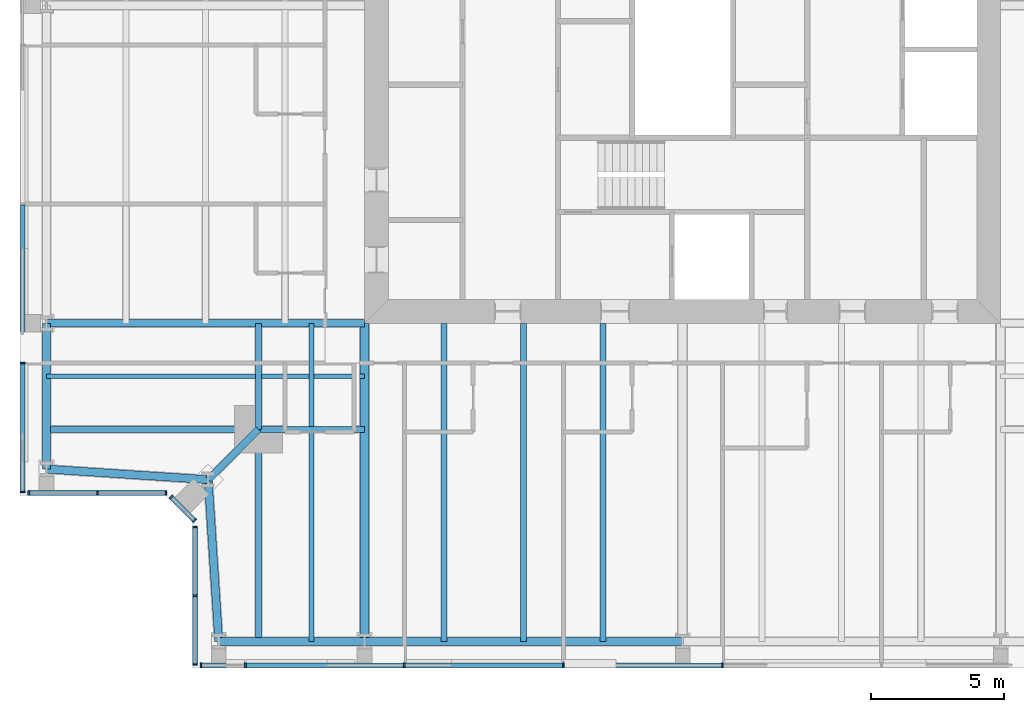
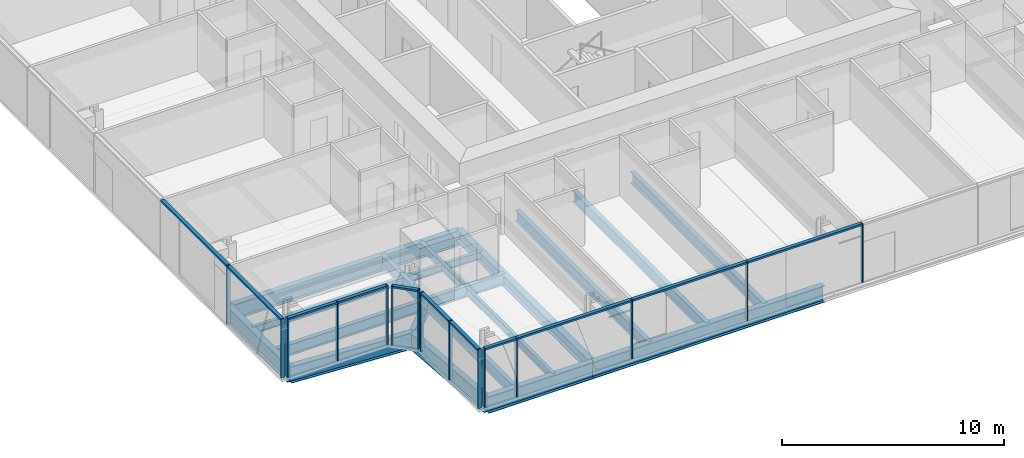
# One storey, part 2 of 20: 26 members, 20 beams, 5 elements without a shape of their own.
"""IFC4 building model written with IfcOpenShell, lengths in metres."""

from ifc_helpers import new_model, si_unit, direction, frame, origin, origin_2d, place, context, subcontext, project, spatial, rectangle, i_section, extrude, material, material_profile, profile_set, type_object, element, aggregate, save


model = new_model("IFC4")

# Units and contexts
model_context = context("Model", 3, precision=1e-05, world=origin(), true_north=direction((0.0, 1.0)))
body_context = subcontext(model_context, "Body", "Model", "MODEL_VIEW")
ifc_project = project(units=[si_unit("LENGTHUNIT", "METRE"), si_unit("AREAUNIT", "SQUARE_METRE"), si_unit("VOLUMEUNIT", "CUBIC_METRE"), si_unit("PLANEANGLEUNIT", "RADIAN"), si_unit("MASSUNIT", "GRAM", prefix="KILO")], contexts=[model_context])

# Site, building, storey
site_placement = place(None, origin())
site = spatial("IfcSite", under=ifc_project, at=site_placement, CompositionType="ELEMENT")
building_placement = place(site_placement, origin())
building = spatial("IfcBuilding", under=site, at=building_placement, Name="Fenwick Lantern Interchange", CompositionType="ELEMENT")
storey_placement = place(building_placement, frame((0.0, 0.0, 245.800048828125)))
storey = spatial("IfcBuildingStorey", under=building, at=storey_placement, Name="L57", CompositionType="ELEMENT", Elevation=245.800048828125)

# Beams
ifc_material_1 = material(Name="Steel ASTM A992 Grade 50", Category="steel")
ifc_material_profile_1 = material_profile(ifc_material_1, i_section(OverallWidth=0.3046875, OverallDepth=0.911865234375, WebThickness=0.015869140625, FlangeThickness=0.02392578125, at=origin_2d()), Name="W36X150")
ifc_profile_set_1 = profile_set([ifc_material_profile_1], Name="Steel ASTM A992 Grade 50")
beam_type_1 = type_object("IfcBeamType", Name="EDGE BEAM W36X150", PredefinedType="SPANDREL", material=ifc_profile_set_1)
beam_1_placement = place(storey_placement, frame((7.5, 1.0, -0.60595703125), z_axis=(1.0, 0.0, 0.0), x_axis=(0.0, 1.0, 0.0)))
element("IfcBeam", 1, at=beam_1_placement, inside=storey, type_object=beam_type_1, Name="L57/FR/S/EB1", PredefinedType="SPANDREL", context=body_context, shape_type="SweptSolid", body=[
    extrude(i_section(OverallWidth=0.3046875, OverallDepth=0.911865234375, WebThickness=0.015869140625, FlangeThickness=0.02392578125, at=origin_2d()), origin(), (0.0, 0.0, 1.0), 5.5),
])
beam_2_placement = place(storey_placement, frame((13.0, 1.0, -0.60595703125), z_axis=(1.0, 0.0, 0.0), x_axis=(0.0, 1.0, 0.0)))
element("IfcBeam", 2, at=beam_2_placement, inside=storey, type_object=beam_type_1, Name="L57/FR/S/EB2", PredefinedType="SPANDREL", context=body_context, shape_type="SweptSolid", body=[
    extrude(i_section(OverallWidth=0.3046875, OverallDepth=0.911865234375, WebThickness=0.015869140625, FlangeThickness=0.02392578125, at=origin_2d()), origin(), (0.0, 0.0, 1.0), 12.0),
])
beam_3_placement = place(storey_placement, frame((1.0, 13.0, -0.60595703125), z_axis=(0.0, -1.0, 0.0), x_axis=(1.0, 0.0, 0.0)))
element("IfcBeam", 3, at=beam_3_placement, inside=storey, type_object=beam_type_1, Name="L57/FR/W/EB4", PredefinedType="SPANDREL", context=body_context, shape_type="SweptSolid", body=[
    extrude(i_section(OverallWidth=0.3046875, OverallDepth=0.911865234375, WebThickness=0.015869140625, FlangeThickness=0.02392578125, at=origin_2d()), origin(), (0.0, 0.0, 1.0), 5.5),
])
for number, where, z_axis, x_axis, name in (
    (4, (1.0, 7.5, -0.60595703125), (0.997858060337, -0.065416293237, 0.0), (0.065416293237, 0.997858060337, 0.0), "L57/FR/W/EBR1"),
    (5, (7.10009765625, 7.10009765625, -0.60595703125), (0.065416293237, -0.997858060337, 0.0), (0.997858060337, 0.065416293237, 0.0), "L57/FR/W/EBR2"),
):
    element("IfcBeam", number, at=place(storey_placement, frame(where, z_axis=z_axis, x_axis=x_axis)), inside=storey, type_object=beam_type_1, Name=name, PredefinedType="SPANDREL", context=body_context, shape_type="SweptSolid", body=[
        extrude(i_section(OverallWidth=0.3046875, OverallDepth=0.911865234375, WebThickness=0.015869140625, FlangeThickness=0.02392578125, at=origin_2d()), origin(), (0.0, 0.0, 1.0), 6.11328125),
    ])
ifc_material_profile_2 = material_profile(ifc_material_1, i_section(OverallWidth=0.22900390625, OverallDepth=0.612060546875, WebThickness=0.011962890625, FlangeThickness=0.01953125, at=origin_2d()), Name="W24X84")
ifc_profile_set_2 = profile_set([ifc_material_profile_2], Name="Steel ASTM A992 Grade 50")
beam_type_2 = type_object("IfcBeamType", Name="FLOOR BEAM W24X84", PredefinedType="BEAM", material=ifc_profile_set_2)
for number, where, z_axis, x_axis, name in (
    (6, (16.0, 1.0, -0.4560546875), (0.0, 1.0, 0.0), (-1.0, 0.0, 0.0), "L57/FR/S/R02"),
    (7, (19.0, 1.0, -0.4560546875), (0.0, 1.0, 0.0), (-1.0, 0.0, 0.0), "L57/FR/S/R03"),
    (8, (22.0, 1.0, -0.4560546875), (0.0, 1.0, 0.0), (-1.0, 0.0, 0.0), "L57/FR/S/R04"),
):
    element("IfcBeam", number, at=place(storey_placement, frame(where, z_axis=z_axis, x_axis=x_axis)), inside=storey, type_object=beam_type_2, Name=name, PredefinedType="BEAM", context=body_context, shape_type="SweptSolid", body=[
        extrude(i_section(OverallWidth=0.22900390625, OverallDepth=0.612060546875, WebThickness=0.011962890625, FlangeThickness=0.01953125, at=origin_2d()), origin(), (0.0, 0.0, 1.0), 12.0),
    ])

# Curtain wall, members
ifc_material_2 = material(Name="Aluminium curtain wall frame", Category="aluminium")
curtain_wall_type = type_object("IfcCurtainWallType", Name="HOTEL CURTAIN WALL", PredefinedType="USERDEFINED", material=ifc_material_2)
curtain_wall_1_placement = place(storey_placement, origin())
curtain_wall_1 = element("IfcCurtainWall", 9, at=curtain_wall_1_placement, inside=storey, type_object=curtain_wall_type, Name="Hotel curtain wall 01", ObjectType="HOTEL CURTAIN WALL", PredefinedType="USERDEFINED")
ifc_material_3 = material(Name="Aluminium extrusion", Category="aluminium")
ifc_material_profile_3 = material_profile(ifc_material_3, rectangle(XDim=0.179931640625, YDim=0.06005859375, at=origin_2d()), Name="HOTEL CURTAIN WALL MULLION 60 X 180")
ifc_profile_set_3 = profile_set([ifc_material_profile_3], Name="Aluminium extrusion")
member_type_1 = type_object("IfcMemberType", Name="HOTEL CURTAIN WALL MULLION 60 X 180", PredefinedType="MULLION", material=ifc_profile_set_3)
member_1_placement = place(storey_placement, frame((6.830078125, 0.10009765625, 0.0), z_axis=(0.0, 0.0, 1.0), x_axis=(0.0, 1.0, 0.0)))
member_1 = element("IfcMember", 10, at=member_1_placement, type_object=member_type_1, Name="L57/CW/01/M00", PredefinedType="MULLION", context=body_context, shape_type="SweptSolid", body=[
    extrude(rectangle(XDim=0.179931640625, YDim=0.06005859375, at=origin_2d()), origin(), (0.0, 0.0, 1.0), 3.25),
])
member_2_placement = place(storey_placement, frame((8.5, 0.10009765625, 0.0), z_axis=(0.0, 0.0, 1.0), x_axis=(0.0, 1.0, 0.0)))
member_2 = element("IfcMember", 11, at=member_2_placement, type_object=member_type_1, Name="L57/CW/01/M01", PredefinedType="MULLION", context=body_context, shape_type="SweptSolid", body=[
    extrude(rectangle(XDim=0.179931640625, YDim=0.06005859375, at=origin_2d()), origin(), (0.0, 0.0, 1.0), 3.25),
])
member_3_placement = place(storey_placement, frame((14.5, 0.10009765625, 0.0), z_axis=(0.0, 0.0, 1.0), x_axis=(0.0, 1.0, 0.0)))
member_3 = element("IfcMember", 12, at=member_3_placement, type_object=member_type_1, Name="L57/CW/01/M02", PredefinedType="MULLION", context=body_context, shape_type="SweptSolid", body=[
    extrude(rectangle(XDim=0.179931640625, YDim=0.06005859375, at=origin_2d()), origin(), (0.0, 0.0, 1.0), 3.25),
])
member_4_placement = place(storey_placement, frame((20.5, 0.10009765625, 0.0), z_axis=(0.0, 0.0, 1.0), x_axis=(0.0, 1.0, 0.0)))
member_4 = element("IfcMember", 13, at=member_4_placement, type_object=member_type_1, Name="L57/CW/01/M03", PredefinedType="MULLION", context=body_context, shape_type="SweptSolid", body=[
    extrude(rectangle(XDim=0.179931640625, YDim=0.06005859375, at=origin_2d()), origin(), (0.0, 0.0, 1.0), 3.25),
])
member_5_placement = place(storey_placement, frame((26.5, 0.10009765625, 0.0), z_axis=(0.0, 0.0, 1.0), x_axis=(0.0, 1.0, 0.0)))
member_5 = element("IfcMember", 14, at=member_5_placement, type_object=member_type_1, Name="L57/CW/01/M04", PredefinedType="MULLION", context=body_context, shape_type="SweptSolid", body=[
    extrude(rectangle(XDim=0.179931640625, YDim=0.06005859375, at=origin_2d()), origin(), (0.0, 0.0, 1.0), 3.25),
])

curtain_wall_2_placement = place(storey_placement, origin())
curtain_wall_2 = element("IfcCurtainWall", 15, at=curtain_wall_2_placement, inside=storey, type_object=curtain_wall_type, Name="Hotel curtain wall 13", ObjectType="HOTEL CURTAIN WALL", PredefinedType="USERDEFINED")
member_6_placement = place(storey_placement, frame((0.10009765625, 11.5, 0.0), z_axis=(0.0, 0.0, 1.0), x_axis=(1.0, 0.0, 0.0)))
member_6 = element("IfcMember", 16, at=member_6_placement, type_object=member_type_1, Name="L57/CW/13/M06", PredefinedType="MULLION", context=body_context, shape_type="SweptSolid", body=[
    extrude(rectangle(XDim=0.179931640625, YDim=0.06005859375, at=origin_2d()), origin(), (0.0, 0.0, 1.0), 3.25),
])
member_7_placement = place(storey_placement, frame((0.10009765625, 6.6298828125, 0.0), z_axis=(0.0, 0.0, 1.0), x_axis=(1.0, 0.0, 0.0)))
member_7 = element("IfcMember", 17, at=member_7_placement, type_object=member_type_1, Name="L57/CW/13/M07", PredefinedType="MULLION", context=body_context, shape_type="SweptSolid", body=[
    extrude(rectangle(XDim=0.179931640625, YDim=0.06005859375, at=origin_2d()), origin(), (0.0, 0.0, 1.0), 3.25),
])

curtain_wall_3_placement = place(storey_placement, origin())
curtain_wall_3 = element("IfcCurtainWall", 18, at=curtain_wall_3_placement, inside=storey, type_object=curtain_wall_type, Name="Hotel curtain wall 14", ObjectType="HOTEL CURTAIN WALL", PredefinedType="USERDEFINED")
member_8_placement = place(storey_placement, frame((0.330078125, 6.60009765625, 0.0), z_axis=(0.0, 0.0, 1.0), x_axis=(0.0, 1.0, 0.0)))
member_8 = element("IfcMember", 19, at=member_8_placement, type_object=member_type_1, Name="L57/CW/14/M00", PredefinedType="MULLION", context=body_context, shape_type="SweptSolid", body=[
    extrude(rectangle(XDim=0.179931640625, YDim=0.06005859375, at=origin_2d()), origin(), (0.0, 0.0, 1.0), 3.25),
])
member_9_placement = place(storey_placement, frame((2.920654296875, 6.60009765625, 0.0), z_axis=(0.0, 0.0, 1.0), x_axis=(0.0, 1.0, 0.0)))
member_9 = element("IfcMember", 20, at=member_9_placement, type_object=member_type_1, Name="L57/CW/14/M01", PredefinedType="MULLION", context=body_context, shape_type="SweptSolid", body=[
    extrude(rectangle(XDim=0.179931640625, YDim=0.06005859375, at=origin_2d()), origin(), (0.0, 0.0, 1.0), 3.25),
])
member_10_placement = place(storey_placement, frame((5.511474609375, 6.60009765625, 0.0), z_axis=(0.0, 0.0, 1.0), x_axis=(0.0, 1.0, 0.0)))
member_10 = element("IfcMember", 21, at=member_10_placement, type_object=member_type_1, Name="L57/CW/14/M02", PredefinedType="MULLION", context=body_context, shape_type="SweptSolid", body=[
    extrude(rectangle(XDim=0.179931640625, YDim=0.06005859375, at=origin_2d()), origin(), (0.0, 0.0, 1.0), 3.25),
])

curtain_wall_4_placement = place(storey_placement, origin())
curtain_wall_4 = element("IfcCurtainWall", 22, at=curtain_wall_4_placement, inside=storey, type_object=curtain_wall_type, Name="Hotel curtain wall 15", ObjectType="HOTEL CURTAIN WALL", PredefinedType="USERDEFINED")
member_11_placement = place(storey_placement, frame((5.7041015625, 6.437255859375, 0.0), z_axis=(0.0, 0.0, 1.0), x_axis=(0.707106781187, 0.707106781187, 0.0)))
member_11 = element("IfcMember", 23, at=member_11_placement, type_object=member_type_1, Name="L57/CW/15/M00", PredefinedType="MULLION", context=body_context, shape_type="SweptSolid", body=[
    extrude(rectangle(XDim=0.179931640625, YDim=0.06005859375, at=origin_2d()), origin(), (0.0, 0.0, 1.0), 3.25),
])
member_12_placement = place(storey_placement, frame((6.578857421875, 5.562744140625, 0.0), z_axis=(0.0, 0.0, 1.0), x_axis=(0.707106781187, 0.707106781187, 0.0)))
member_12 = element("IfcMember", 24, at=member_12_placement, type_object=member_type_1, Name="L57/CW/15/M01", PredefinedType="MULLION", context=body_context, shape_type="SweptSolid", body=[
    extrude(rectangle(XDim=0.179931640625, YDim=0.06005859375, at=origin_2d()), origin(), (0.0, 0.0, 1.0), 3.25),
])

curtain_wall_5_placement = place(storey_placement, origin())
curtain_wall_5 = element("IfcCurtainWall", 25, at=curtain_wall_5_placement, inside=storey, type_object=curtain_wall_type, Name="Hotel curtain wall 16", ObjectType="HOTEL CURTAIN WALL", PredefinedType="USERDEFINED")
member_13_placement = place(storey_placement, frame((6.60009765625, 5.3115234375, 0.0), z_axis=(0.0, 0.0, 1.0), x_axis=(1.0, 0.0, 0.0)))
member_13 = element("IfcMember", 26, at=member_13_placement, type_object=member_type_1, Name="L57/CW/16/M00", PredefinedType="MULLION", context=body_context, shape_type="SweptSolid", body=[
    extrude(rectangle(XDim=0.179931640625, YDim=0.06005859375, at=origin_2d()), origin(), (0.0, 0.0, 1.0), 3.25),
])
member_14_placement = place(storey_placement, frame((6.60009765625, 2.720703125, 0.0), z_axis=(0.0, 0.0, 1.0), x_axis=(1.0, 0.0, 0.0)))
member_14 = element("IfcMember", 27, at=member_14_placement, type_object=member_type_1, Name="L57/CW/16/M01", PredefinedType="MULLION", context=body_context, shape_type="SweptSolid", body=[
    extrude(rectangle(XDim=0.179931640625, YDim=0.06005859375, at=origin_2d()), origin(), (0.0, 0.0, 1.0), 3.25),
])
member_15_placement = place(storey_placement, frame((6.60009765625, 0.1298828125, 0.0), z_axis=(0.0, 0.0, 1.0), x_axis=(1.0, 0.0, 0.0)))
member_15 = element("IfcMember", 28, at=member_15_placement, type_object=member_type_1, Name="L57/CW/16/M02", PredefinedType="MULLION", context=body_context, shape_type="SweptSolid", body=[
    extrude(rectangle(XDim=0.179931640625, YDim=0.06005859375, at=origin_2d()), origin(), (0.0, 0.0, 1.0), 3.25),
])

# Member
ifc_material_profile_4 = material_profile(ifc_material_3, rectangle(XDim=0.179931640625, YDim=0.10009765625, at=origin_2d()), Name="HOTEL CURTAIN WALL TRANSOM 100 X 180")
ifc_profile_set_4 = profile_set([ifc_material_profile_4], Name="Aluminium extrusion")
member_type_2 = type_object("IfcMemberType", Name="HOTEL CURTAIN WALL TRANSOM 100 X 180", PredefinedType="MULLION", material=ifc_profile_set_4)
member_16_placement = place(storey_placement, frame((6.860107421875, 0.10009765625, 3.199951171875), z_axis=(1.0, 0.0, 0.0), x_axis=(0.0, 1.0, 0.0)))
member_16 = element("IfcMember", 29, at=member_16_placement, type_object=member_type_2, Name="L57/CW/01/T00", PredefinedType="MULLION", context=body_context, shape_type="SweptSolid", body=[
    extrude(rectangle(XDim=0.179931640625, YDim=0.10009765625, at=origin_2d()), origin(), (0.0, 0.0, 1.0), 1.60986328125),
])

member_17_placement = place(storey_placement, frame((8.530029296875, 0.10009765625, 3.199951171875), z_axis=(1.0, 0.0, 0.0), x_axis=(0.0, 1.0, 0.0)))
member_17 = element("IfcMember", 30, at=member_17_placement, type_object=member_type_2, Name="L57/CW/01/T01", PredefinedType="MULLION", context=body_context, shape_type="SweptSolid", body=[
    extrude(rectangle(XDim=0.179931640625, YDim=0.10009765625, at=origin_2d()), origin(), (0.0, 0.0, 1.0), 5.93994140625),
])

member_18_placement = place(storey_placement, frame((14.530029296875, 0.10009765625, 3.199951171875), z_axis=(1.0, 0.0, 0.0), x_axis=(0.0, 1.0, 0.0)))
member_18 = element("IfcMember", 31, at=member_18_placement, type_object=member_type_2, Name="L57/CW/01/T02", PredefinedType="MULLION", context=body_context, shape_type="SweptSolid", body=[
    extrude(rectangle(XDim=0.179931640625, YDim=0.10009765625, at=origin_2d()), origin(), (0.0, 0.0, 1.0), 5.93994140625),
])

member_19_placement = place(storey_placement, frame((20.530029296875, 0.10009765625, 3.199951171875), z_axis=(1.0, 0.0, 0.0), x_axis=(0.0, 1.0, 0.0)))
member_19 = element("IfcMember", 32, at=member_19_placement, type_object=member_type_2, Name="L57/CW/01/T03", PredefinedType="MULLION", context=body_context, shape_type="SweptSolid", body=[
    extrude(rectangle(XDim=0.179931640625, YDim=0.10009765625, at=origin_2d()), origin(), (0.0, 0.0, 1.0), 5.93994140625),
])

aggregate(curtain_wall_1, [member_1, member_2, member_3, member_4, member_5, member_16, member_17, member_18, member_19])

member_20_placement = place(storey_placement, frame((0.10009765625, 17.469970703125, 3.199951171875), z_axis=(0.0, -1.0, 0.0), x_axis=(1.0, 0.0, 0.0)))
member_20 = element("IfcMember", 33, at=member_20_placement, type_object=member_type_2, Name="L57/CW/13/T05", PredefinedType="MULLION", context=body_context, shape_type="SweptSolid", body=[
    extrude(rectangle(XDim=0.179931640625, YDim=0.10009765625, at=origin_2d()), origin(), (0.0, 0.0, 1.0), 5.93994140625),
])

member_21_placement = place(storey_placement, frame((0.10009765625, 11.469970703125, 3.199951171875), z_axis=(0.0, -1.0, 0.0), x_axis=(1.0, 0.0, 0.0)))
member_21 = element("IfcMember", 34, at=member_21_placement, type_object=member_type_2, Name="L57/CW/13/T06", PredefinedType="MULLION", context=body_context, shape_type="SweptSolid", body=[
    extrude(rectangle(XDim=0.179931640625, YDim=0.10009765625, at=origin_2d()), origin(), (0.0, 0.0, 1.0), 4.81005859375),
])

aggregate(curtain_wall_2, [member_6, member_7, member_20, member_21])

member_22_placement = place(storey_placement, frame((0.360107421875, 6.60009765625, 3.199951171875), z_axis=(1.0, 0.0, 0.0), x_axis=(0.0, 1.0, 0.0)))
member_22 = element("IfcMember", 35, at=member_22_placement, type_object=member_type_2, Name="L57/CW/14/T00", PredefinedType="MULLION", context=body_context, shape_type="SweptSolid", body=[
    extrude(rectangle(XDim=0.179931640625, YDim=0.10009765625, at=origin_2d()), origin(), (0.0, 0.0, 1.0), 2.530517578125),
])

member_23_placement = place(storey_placement, frame((2.95068359375, 6.60009765625, 3.199951171875), z_axis=(1.0, 0.0, 0.0), x_axis=(0.0, 1.0, 0.0)))
member_23 = element("IfcMember", 36, at=member_23_placement, type_object=member_type_2, Name="L57/CW/14/T01", PredefinedType="MULLION", context=body_context, shape_type="SweptSolid", body=[
    extrude(rectangle(XDim=0.179931640625, YDim=0.10009765625, at=origin_2d()), origin(), (0.0, 0.0, 1.0), 2.53076171875),
])

aggregate(curtain_wall_3, [member_8, member_9, member_10, member_22, member_23])

member_24_placement = place(storey_placement, frame((5.725341796875, 6.416259765625, 3.199951171875), z_axis=(0.707003077033, -0.707210470133, 0.0), x_axis=(0.707210470133, 0.707003077033, 0.0)))
member_24 = element("IfcMember", 37, at=member_24_placement, type_object=member_type_2, Name="L57/CW/15/T00", PredefinedType="MULLION", context=body_context, shape_type="SweptSolid", body=[
    extrude(rectangle(XDim=0.179931640625, YDim=0.10009765625, at=origin_2d()), origin(), (0.0, 0.0, 1.0), 1.17724609375),
])

aggregate(curtain_wall_4, [member_11, member_12, member_24])

member_25_placement = place(storey_placement, frame((6.60009765625, 5.281494140625, 3.199951171875), z_axis=(0.0, -1.0, 0.0), x_axis=(1.0, 0.0, 0.0)))
member_25 = element("IfcMember", 38, at=member_25_placement, type_object=member_type_2, Name="L57/CW/16/T00", PredefinedType="MULLION", context=body_context, shape_type="SweptSolid", body=[
    extrude(rectangle(XDim=0.179931640625, YDim=0.10009765625, at=origin_2d()), origin(), (0.0, 0.0, 1.0), 2.53076171875),
])

member_26_placement = place(storey_placement, frame((6.60009765625, 2.690673828125, 3.199951171875), z_axis=(0.0, -1.0, 0.0), x_axis=(1.0, 0.0, 0.0)))
member_26 = element("IfcMember", 39, at=member_26_placement, type_object=member_type_2, Name="L57/CW/16/T01", PredefinedType="MULLION", context=body_context, shape_type="SweptSolid", body=[
    extrude(rectangle(XDim=0.179931640625, YDim=0.10009765625, at=origin_2d()), origin(), (0.0, 0.0, 1.0), 2.53076171875),
])

aggregate(curtain_wall_5, [member_13, member_14, member_15, member_25, member_26])

# Beams
ifc_material_profile_5 = material_profile(ifc_material_1, i_section(OverallWidth=0.177734375, OverallDepth=0.406494140625, WebThickness=0.0078125, FlangeThickness=0.012939453125, at=origin_2d()), Name="W16X40")
ifc_profile_set_5 = profile_set([ifc_material_profile_5], Name="Steel ASTM A992 Grade 50")
beam_type_3 = type_object("IfcBeamType", Name="INFILL BEAM W16X40", PredefinedType="JOIST", material=ifc_profile_set_5)
beam_4_placement = place(storey_placement, frame((11.0, 1.0, -0.353271484375), z_axis=(0.0, 1.0, 0.0), x_axis=(-1.0, 0.0, 0.0)))
element("IfcBeam", 40, at=beam_4_placement, inside=storey, type_object=beam_type_3, Name="L57/FR/S/J1", PredefinedType="JOIST", context=body_context, shape_type="SweptSolid", body=[
    extrude(i_section(OverallWidth=0.177734375, OverallDepth=0.406494140625, WebThickness=0.0078125, FlangeThickness=0.012939453125, at=origin_2d()), origin(), (0.0, 0.0, 1.0), 7.885498046875),
])
beam_5_placement = place(storey_placement, frame((11.0, 9.114501953125, -0.353271484375), z_axis=(0.0, 1.0, 0.0), x_axis=(-1.0, 0.0, 0.0)))
element("IfcBeam", 41, at=beam_5_placement, inside=storey, type_object=beam_type_3, Name="L57/FR/S/J2", PredefinedType="JOIST", context=body_context, shape_type="SweptSolid", body=[
    extrude(i_section(OverallWidth=0.177734375, OverallDepth=0.406494140625, WebThickness=0.0078125, FlangeThickness=0.012939453125, at=origin_2d()), origin(), (0.0, 0.0, 1.0), 3.885498046875),
])
beam_6_placement = place(storey_placement, frame((1.0, 11.0, -0.353271484375), z_axis=(1.0, 0.0, 0.0), x_axis=(0.0, 1.0, 0.0)))
element("IfcBeam", 42, at=beam_6_placement, inside=storey, type_object=beam_type_3, Name="L57/FR/S/J3", PredefinedType="JOIST", context=body_context, shape_type="SweptSolid", body=[
    extrude(i_section(OverallWidth=0.177734375, OverallDepth=0.406494140625, WebThickness=0.0078125, FlangeThickness=0.012939453125, at=origin_2d()), origin(), (0.0, 0.0, 1.0), 7.885498046875),
])
beam_7_placement = place(storey_placement, frame((9.114501953125, 11.0, -0.353271484375), z_axis=(1.0, 0.0, 0.0), x_axis=(0.0, 1.0, 0.0)))
element("IfcBeam", 43, at=beam_7_placement, inside=storey, type_object=beam_type_3, Name="L57/FR/S/J4", PredefinedType="JOIST", context=body_context, shape_type="SweptSolid", body=[
    extrude(i_section(OverallWidth=0.177734375, OverallDepth=0.406494140625, WebThickness=0.0078125, FlangeThickness=0.012939453125, at=origin_2d()), origin(), (0.0, 0.0, 1.0), 1.796630859375),
])
beam_8_placement = place(storey_placement, frame((11.0888671875, 11.0, -0.353271484375), z_axis=(1.0, 0.0, 0.0), x_axis=(0.0, 1.0, 0.0)))
element("IfcBeam", 44, at=beam_8_placement, inside=storey, type_object=beam_type_3, Name="L57/FR/S/J5", PredefinedType="JOIST", context=body_context, shape_type="SweptSolid", body=[
    extrude(i_section(OverallWidth=0.177734375, OverallDepth=0.406494140625, WebThickness=0.0078125, FlangeThickness=0.012939453125, at=origin_2d()), origin(), (0.0, 0.0, 1.0), 1.9111328125),
])
ifc_material_profile_6 = material_profile(ifc_material_1, i_section(OverallWidth=0.22900390625, OverallDepth=0.612060546875, WebThickness=0.011962890625, FlangeThickness=0.01953125, at=origin_2d()), Name="W24X84")
ifc_profile_set_6 = profile_set([ifc_material_profile_6], Name="Steel ASTM A992 Grade 50")
beam_type_4 = type_object("IfcBeamType", Name="MEGA COLUMN BEAM W24X84", PredefinedType="BEAM", material=ifc_profile_set_6)
for number, where, z_axis, x_axis, name in (
    (45, (9.0, 9.0, -0.4560546875), (0.0, -1.0, 0.0), (1.0, 0.0, 0.0), "L57/FR/S/MB1"),
    (46, (9.0, 9.0, -0.4560546875), (-1.0, 0.0, 0.0), (0.0, -1.0, 0.0), "L57/FR/S/MB2"),
):
    element("IfcBeam", number, at=place(storey_placement, frame(where, z_axis=z_axis, x_axis=x_axis)), inside=storey, type_object=beam_type_4, Name=name, PredefinedType="BEAM", context=body_context, shape_type="SweptSolid", body=[
        extrude(i_section(OverallWidth=0.22900390625, OverallDepth=0.612060546875, WebThickness=0.011962890625, FlangeThickness=0.01953125, at=origin_2d()), origin(), (0.0, 0.0, 1.0), 8.0),
    ])
for number, where, z_axis, x_axis, name in (
    (47, (9.0, 9.0, -0.4560546875), (1.0, 0.0, 0.0), (0.0, 1.0, 0.0), "L57/FR/S/MB3"),
    (48, (9.0, 9.0, -0.4560546875), (0.0, 1.0, 0.0), (-1.0, 0.0, 0.0), "L57/FR/S/MB4"),
):
    element("IfcBeam", number, at=place(storey_placement, frame(where, z_axis=z_axis, x_axis=x_axis)), inside=storey, type_object=beam_type_4, Name=name, PredefinedType="BEAM", context=body_context, shape_type="SweptSolid", body=[
        extrude(i_section(OverallWidth=0.22900390625, OverallDepth=0.612060546875, WebThickness=0.011962890625, FlangeThickness=0.01953125, at=origin_2d()), origin(), (0.0, 0.0, 1.0), 4.0),
    ])
ifc_material_profile_7 = material_profile(ifc_material_1, i_section(OverallWidth=0.32763671875, OverallDepth=0.622314453125, WebThickness=0.015380859375, FlangeThickness=0.0244140625, at=origin_2d()), Name="W24X131")
ifc_profile_set_7 = profile_set([ifc_material_profile_7], Name="Steel ASTM A992 Grade 50")
beam_type_5 = type_object("IfcBeamType", Name="MOMENT-CONNECTED GIRDER W24X131", PredefinedType="BEAM", material=ifc_profile_set_7)
beam_9_placement = place(storey_placement, frame((13.0, 1.0, -0.461181640625), z_axis=(0.0, 1.0, 0.0), x_axis=(-1.0, 0.0, 0.0)))
element("IfcBeam", 49, at=beam_9_placement, inside=storey, type_object=beam_type_5, Name="L57/FR/S/R01", PredefinedType="BEAM", context=body_context, shape_type="SweptSolid", body=[
    extrude(i_section(OverallWidth=0.32763671875, OverallDepth=0.622314453125, WebThickness=0.015380859375, FlangeThickness=0.0244140625, at=origin_2d()), origin(), (0.0, 0.0, 1.0), 12.0),
])
ifc_material_profile_8 = material_profile(ifc_material_1, i_section(OverallWidth=0.2919921875, OverallDepth=0.845703125, WebThickness=0.015380859375, FlangeThickness=0.0244140625, at=origin_2d()), Name="W33X141")
ifc_profile_set_8 = profile_set([ifc_material_profile_8], Name="Steel ASTM A992 Grade 50")
beam_type_6 = type_object("IfcBeamType", Name="MOMENT-CONNECTED GIRDER W33X141", PredefinedType="BEAM", material=ifc_profile_set_8)
beam_10_placement = place(storey_placement, frame((1.0, 13.0, -0.572998046875), z_axis=(1.0, 0.0, 0.0), x_axis=(0.0, 1.0, 0.0)))
element("IfcBeam", 50, at=beam_10_placement, inside=storey, type_object=beam_type_6, Name="L57/FR/W/R03", PredefinedType="BEAM", context=body_context, shape_type="SweptSolid", body=[
    extrude(i_section(OverallWidth=0.2919921875, OverallDepth=0.845703125, WebThickness=0.015380859375, FlangeThickness=0.0244140625, at=origin_2d()), origin(), (0.0, 0.0, 1.0), 12.0),
])
ifc_material_profile_9 = material_profile(ifc_material_1, i_section(OverallWidth=0.2666015625, OverallDepth=0.7568359375, WebThickness=0.013916015625, FlangeThickness=0.019287109375, at=origin_2d()), Name="W30X108")
ifc_profile_set_9 = profile_set([ifc_material_profile_9], Name="Steel ASTM A992 Grade 50")
beam_type_7 = type_object("IfcBeamType", Name="NOTCH BEAM W30X108", PredefinedType="BEAM", material=ifc_profile_set_9)
beam_11_placement = place(storey_placement, frame((9.0, 9.0, -0.528564453125), z_axis=(-0.707106781187, -0.707106781187, 0.0), x_axis=(0.707106781187, -0.707106781187, 0.0)))
element("IfcBeam", 51, at=beam_11_placement, inside=storey, type_object=beam_type_7, Name="L57/FR/S/TG", PredefinedType="BEAM", context=body_context, shape_type="SweptSolid", body=[
    extrude(i_section(OverallWidth=0.2666015625, OverallDepth=0.7568359375, WebThickness=0.013916015625, FlangeThickness=0.019287109375, at=origin_2d()), origin(), (0.0, 0.0, 1.0), 2.686767578125),
])

save(model, "model.ifc")
